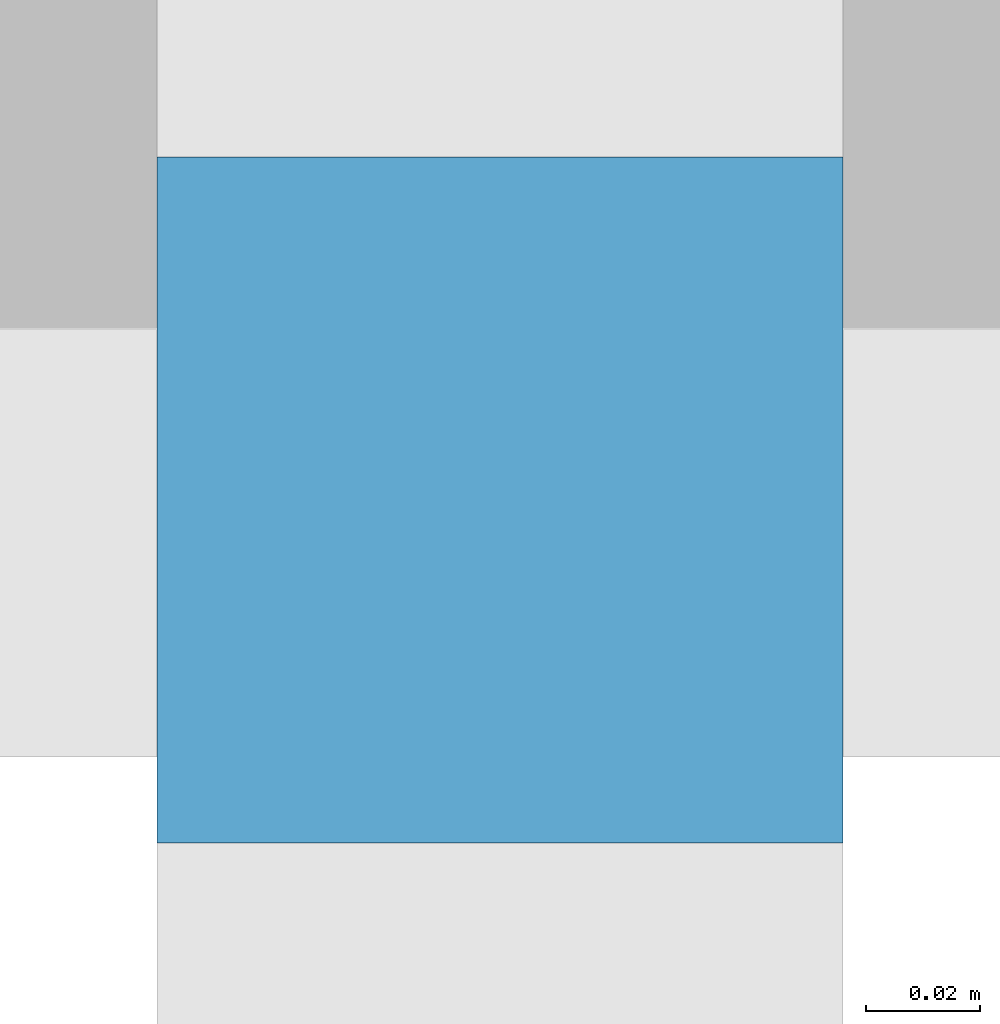
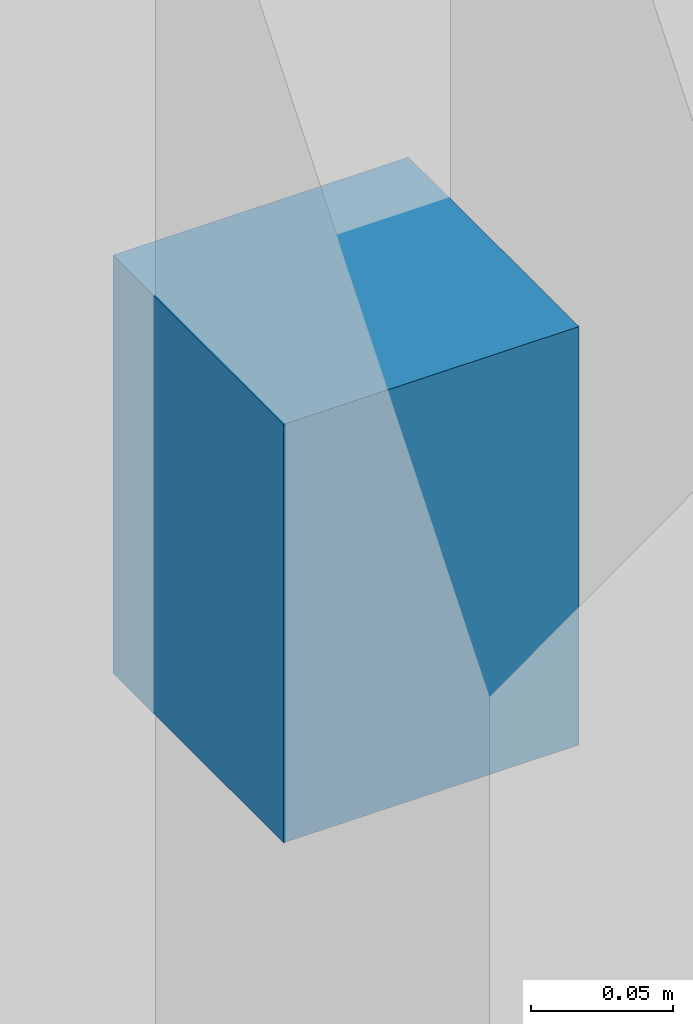
# One storey, part 127 of 141: 1 discrete accessory.
"""IFC4 building model written with IfcOpenShell, lengths in metres."""

from ifc_helpers import new_model, si_unit, direction, frame, origin, origin_2d, place, context, subcontext, project, spatial, rectangle, extrude, material, type_object, element, save


model = new_model("IFC4")

# Units and contexts
model_context = context("Model", 3, precision=1e-05, world=origin(), true_north=direction((0.0, 1.0)))
body_context = subcontext(model_context, "Body", "Model", "MODEL_VIEW")
ifc_project = project(units=[si_unit("LENGTHUNIT", "METRE"), si_unit("AREAUNIT", "SQUARE_METRE"), si_unit("VOLUMEUNIT", "CUBIC_METRE"), si_unit("PLANEANGLEUNIT", "RADIAN"), si_unit("MASSUNIT", "GRAM", prefix="KILO")], contexts=[model_context])

# Site, building, storey
site_placement = place(None, origin())
site = spatial("IfcSite", under=ifc_project, at=site_placement, CompositionType="ELEMENT")
building_placement = place(site_placement, origin())
building = spatial("IfcBuilding", under=site, at=building_placement, Name="Sundgate Opera House", CompositionType="ELEMENT")
storey_placement = place(building_placement, frame((0.0, 0.0, 11.39990234375)))
storey = spatial("IfcBuildingStorey", under=building, at=storey_placement, Name="L02", CompositionType="ELEMENT", Elevation=11.39990234375)

# Discrete accessory
ifc_material = material(Name="Stainless steel EN 1.4404 bracket", Category="steel")
discrete_accessory_type = type_object("IfcDiscreteAccessoryType", Name="AC-BRACKET-SS", PredefinedType="BRACKET", material=ifc_material)
discrete_accessory_placement = place(storey_placement, frame((67.5, 32.75, 1.91015625), z_axis=(0.0, 0.0, 1.0), x_axis=(1.0, 0.0, 0.0)))
element("IfcDiscreteAccessory", 1, at=discrete_accessory_placement, inside=storey, type_object=discrete_accessory_type, Name="L02 Brise-Soleil Anchor Bracket BR0004", PredefinedType="BRACKET", context=body_context, shape_type="SweptSolid", body=[
    extrude(rectangle(XDim=0.1201171875, YDim=0.1201171875, at=origin_2d()), origin(), (0.0, 0.0, 1.0), 0.179931640625),
])

save(model, "model.ifc")
